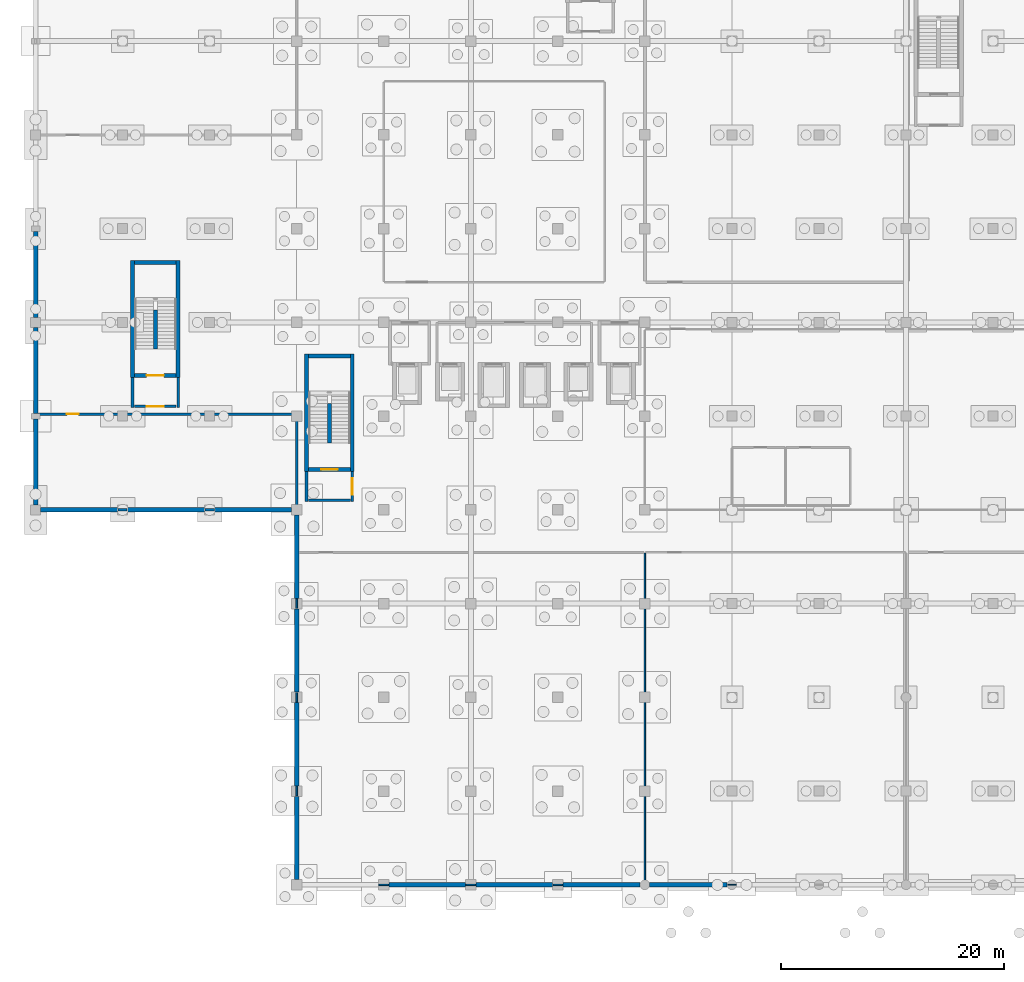
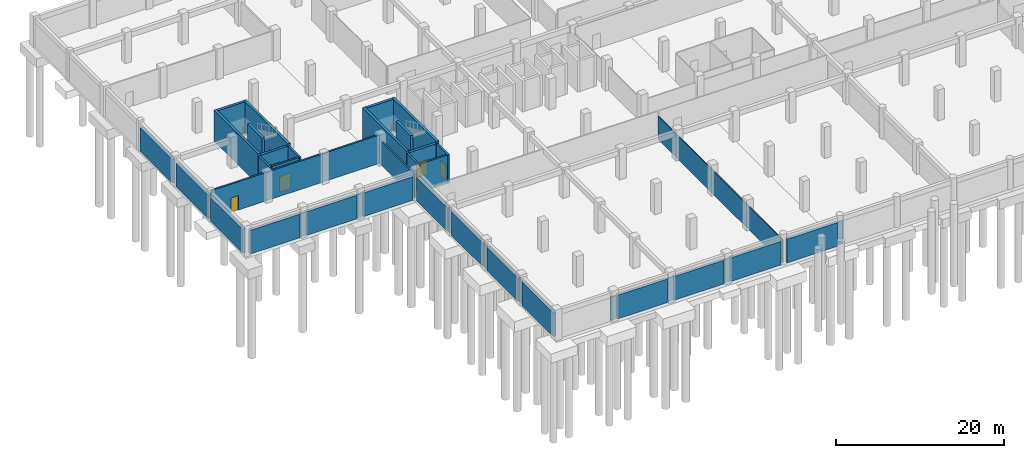
# One storey, part 13 of 30: 42 walls, 5 doors, 5 openings.
"""IFC4 building model written with IfcOpenShell, lengths in metres."""

from ifc_helpers import new_model, si_unit, direction, frame, frame_2d, origin, place, context, subcontext, project, spatial, rectangle, extrude, material, layer, layer_set, type_object, element, fill, save


model = new_model("IFC4")

# Units and contexts
model_context = context("Model", 3, precision=1e-05, world=origin(), true_north=direction((0.0, 1.0)))
body_context = subcontext(model_context, "Body", "Model", "MODEL_VIEW")
ifc_project = project(units=[si_unit("LENGTHUNIT", "METRE"), si_unit("AREAUNIT", "SQUARE_METRE"), si_unit("VOLUMEUNIT", "CUBIC_METRE"), si_unit("PLANEANGLEUNIT", "RADIAN"), si_unit("MASSUNIT", "GRAM", prefix="KILO"), si_unit("THERMODYNAMICTEMPERATUREUNIT", "KELVIN"), si_unit("POWERUNIT", "WATT")], contexts=[model_context])

# Site, building, storey
site_placement = place(None, origin())
site = spatial("IfcSite", under=ifc_project, at=site_placement, CompositionType="ELEMENT")
building_placement = place(site_placement, origin())
building = spatial("IfcBuilding", under=site, at=building_placement, Name="Srebrne Nadtorze General Hospital", CompositionType="ELEMENT")
storey_placement = place(building_placement, frame((0.0, 0.0, -4.5)))
storey = spatial("IfcBuildingStorey", under=building, at=storey_placement, Name="B1", CompositionType="ELEMENT", Elevation=-4.5)

# Walls
ifc_material_1 = material(Name="Concrete C35/45", Category="concrete")
ifc_layer_1 = layer(ifc_material_1, 0.39990234375)
ifc_layer_set_1 = layer_set([ifc_layer_1], Name="Concrete C35/45")
wall_type_1 = type_object("IfcWallType", Name="Basement retaining wall 400", PredefinedType="SOLIDWALL", material=ifc_layer_set_1)
for number, where, z_axis, x_axis, name in (
    (1, (31.675048828125, 0.0, 0.0), (0.0, 0.0, 1.0), (1.0, 0.0, 0.0), "Exterior wall WL-ENV-B1-0002"),
    (2, (39.47509765625, 0.0, 0.0), (0.0, 0.0, 1.0), (1.0, 0.0, 0.0), "Exterior wall WL-ENV-B1-0003"),
):
    element("IfcWall", number, at=place(storey_placement, frame(where, z_axis=z_axis, x_axis=x_axis)), inside=storey, type_object=wall_type_1, Name=name, PredefinedType="SOLIDWALL", context=body_context, shape_type="SweptSolid", body=[
        extrude(rectangle(XDim=6.849853515625, YDim=0.39990234375, at=frame_2d((3.4248046875, 0.0))), origin(), (0.0, 0.0, 1.0), 3.449951171875),
    ])
wall_1_placement = place(storey_placement, frame((47.27490234375, 0.0, 0.0), z_axis=(0.0, 0.0, 1.0), x_axis=(1.0, 0.0, 0.0)))
element("IfcWall", 3, at=wall_1_placement, inside=storey, type_object=wall_type_1, Name="Exterior wall WL-ENV-B1-0004", PredefinedType="SOLIDWALL", context=body_context, shape_type="SweptSolid", body=[
    extrude(rectangle(XDim=6.900146484375, YDim=0.39990234375, at=frame_2d((3.4501953125, 0.0))), origin(), (0.0, 0.0, 1.0), 3.449951171875),
])
wall_2_placement = place(storey_placement, frame((55.02490234375, 0.0, 0.0), z_axis=(0.0, 0.0, 1.0), x_axis=(1.0, 0.0, 0.0)))
element("IfcWall", 4, at=wall_2_placement, inside=storey, type_object=wall_type_1, Name="Exterior wall WL-ENV-B1-0005", PredefinedType="SOLIDWALL", context=body_context, shape_type="SweptSolid", body=[
    extrude(rectangle(XDim=6.9501953125, YDim=0.39990234375, at=frame_2d((3.47509765625, 0.0))), origin(), (0.0, 0.0, 1.0), 3.449951171875),
])
wall_3_placement = place(storey_placement, frame((0.449951171875, 33.60009765625, 0.0), z_axis=(0.0, 0.0, 1.0), x_axis=(1.0, 0.0, 0.0)))
element("IfcWall", 5, at=wall_3_placement, inside=storey, type_object=wall_type_1, Name="Exterior wall WL-ENV-B1-0017", PredefinedType="SOLIDWALL", context=body_context, shape_type="SweptSolid", body=[
    extrude(rectangle(XDim=6.900146484375, YDim=0.39990234375, at=frame_2d((3.4501953125, 0.0))), origin(), (0.0, 0.0, 1.0), 3.449951171875),
])
wall_4_placement = place(storey_placement, frame((8.25, 33.60009765625, 0.0), z_axis=(0.0, 0.0, 1.0), x_axis=(1.0, 0.0, 0.0)))
element("IfcWall", 6, at=wall_4_placement, inside=storey, type_object=wall_type_1, Name="Exterior wall WL-ENV-B1-0018", PredefinedType="SOLIDWALL", context=body_context, shape_type="SweptSolid", body=[
    extrude(rectangle(XDim=6.89990234375, YDim=0.39990234375, at=frame_2d((3.449951171875, 0.0))), origin(), (0.0, 0.0, 1.0), 3.449951171875),
])
wall_5_placement = place(storey_placement, frame((16.050048828125, 33.60009765625, 0.0), z_axis=(0.0, 0.0, 1.0), x_axis=(1.0, 0.0, 0.0)))
element("IfcWall", 7, at=wall_5_placement, inside=storey, type_object=wall_type_1, Name="Exterior wall WL-ENV-B1-0019", PredefinedType="SOLIDWALL", context=body_context, shape_type="SweptSolid", body=[
    extrude(rectangle(XDim=6.875, YDim=0.39990234375, at=frame_2d((3.4375, 0.0))), origin(), (0.0, 0.0, 1.0), 3.449951171875),
])
for number, where, z_axis, x_axis, name in (
    (8, (0.0, 34.050048828125, 0.0), (0.0, 0.0, 1.0), (0.0, 1.0, 0.0), "Exterior wall WL-ENV-B1-0045"),
    (9, (0.0, 42.25, 0.0), (0.0, 0.0, 1.0), (0.0, 1.0, 0.0), "Exterior wall WL-ENV-B1-0046"),
    (10, (0.0, 50.85009765625, 0.0), (0.0, 0.0, 1.0), (0.0, 1.0, 0.0), "Exterior wall WL-ENV-B1-0047"),
):
    element("IfcWall", number, at=place(storey_placement, frame(where, z_axis=z_axis, x_axis=x_axis)), inside=storey, type_object=wall_type_1, Name=name, PredefinedType="SOLIDWALL", context=body_context, shape_type="SweptSolid", body=[
        extrude(rectangle(XDim=7.699951171875, YDim=0.39990234375, at=frame_2d((3.85009765625, 0.0))), origin(), (0.0, 0.0, 1.0), 3.449951171875),
    ])
for number, where, z_axis, x_axis, name in (
    (11, (23.39990234375, 0.47509765625, 0.0), (0.0, 0.0, 1.0), (0.0, 1.0, 0.0), "Exterior wall WL-ENV-B1-0051"),
    (12, (23.39990234375, 8.875, 0.0), (0.0, 0.0, 1.0), (0.0, 1.0, 0.0), "Exterior wall WL-ENV-B1-0052"),
):
    element("IfcWall", number, at=place(storey_placement, frame(where, z_axis=z_axis, x_axis=x_axis)), inside=storey, type_object=wall_type_1, Name=name, PredefinedType="SOLIDWALL", context=body_context, shape_type="SweptSolid", body=[
        extrude(rectangle(XDim=7.449951171875, YDim=0.39990234375, at=frame_2d((3.72509765625, 0.0))), origin(), (0.0, 0.0, 1.0), 3.449951171875),
    ])
wall_6_placement = place(storey_placement, frame((23.39990234375, 17.27490234375, 0.0), z_axis=(0.0, 0.0, 1.0), x_axis=(0.0, 1.0, 0.0)))
element("IfcWall", 13, at=wall_6_placement, inside=storey, type_object=wall_type_1, Name="Exterior wall WL-ENV-B1-0053", PredefinedType="SOLIDWALL", context=body_context, shape_type="SweptSolid", body=[
    extrude(rectangle(XDim=7.4501953125, YDim=0.39990234375, at=frame_2d((3.72509765625, 0.0))), origin(), (0.0, 0.0, 1.0), 3.449951171875),
])
wall_7_placement = place(storey_placement, frame((23.39990234375, 25.675048828125, 0.0), z_axis=(0.0, 0.0, 1.0), x_axis=(0.0, 1.0, 0.0)))
element("IfcWall", 14, at=wall_7_placement, inside=storey, type_object=wall_type_1, Name="Exterior wall WL-ENV-B1-0054", PredefinedType="SOLIDWALL", context=body_context, shape_type="SweptSolid", body=[
    extrude(rectangle(XDim=7.449951171875, YDim=0.39990234375, at=frame_2d((3.72509765625, 0.0))), origin(), (0.0, 0.0, 1.0), 3.449951171875),
])
ifc_material_2 = material(Name="Gypsum Healthcare Partition")
ifc_layer_2 = layer(ifc_material_2, 0.139892578125)
ifc_layer_set_2 = layer_set([ifc_layer_2], Name="Gypsum Healthcare Partition")
wall_type_2 = type_object("IfcWallType", Name="Clinical partition 140", PredefinedType="PARTITIONING", material=ifc_layer_set_2)
for number, where, z_axis, x_axis, name in (
    (15, (30.764892578125, 0.0, 0.0), (0.0, 0.0, 1.0), (1.0, 0.0, 0.0), "Medical Records and Digital Archive wall WL-INT-B1-1227"),
    (16, (38.56494140625, 0.0, 0.0), (0.0, 0.0, 1.0), (1.0, 0.0, 0.0), "Medical Records and Digital Archive wall WL-INT-B1-1228"),
    (17, (46.364990234375, 0.0, 0.0), (0.0, 0.0, 1.0), (1.0, 0.0, 0.0), "Medical Records and Digital Archive wall WL-INT-B1-1229"),
):
    element("IfcWall", number, at=place(storey_placement, frame(where, z_axis=z_axis, x_axis=x_axis)), inside=storey, type_object=wall_type_2, Name=name, PredefinedType="PARTITIONING", context=body_context, shape_type="SweptSolid", body=[
        extrude(rectangle(XDim=0.8701171875, YDim=0.139892578125, at=frame_2d((0.43505859375, 0.0))), origin(), (0.0, 0.0, 1.0), 3.39990234375),
    ])
wall_8_placement = place(storey_placement, frame((23.39990234375, 7.965087890625, 0.0), z_axis=(0.0, 0.0, 1.0), x_axis=(0.0, 1.0, 0.0)))
element("IfcWall", 18, at=wall_8_placement, inside=storey, type_object=wall_type_2, Name="Medical Records and Digital Archive wall WL-INT-B1-1230", PredefinedType="PARTITIONING", context=body_context, shape_type="SweptSolid", body=[
    extrude(rectangle(XDim=0.869873046875, YDim=0.139892578125, at=frame_2d((0.43505859375, 0.0))), origin(), (0.0, 0.0, 1.0), 3.39990234375),
])
for number, where, z_axis, x_axis, name in (
    (19, (23.39990234375, 16.364990234375, 0.0), (0.0, 0.0, 1.0), (0.0, 1.0, 0.0), "Medical Records and Digital Archive wall WL-INT-B1-1231"),
    (20, (23.39990234375, 24.764892578125, 0.0), (0.0, 0.0, 1.0), (0.0, 1.0, 0.0), "Medical Records and Digital Archive wall WL-INT-B1-1232"),
):
    element("IfcWall", number, at=place(storey_placement, frame(where, z_axis=z_axis, x_axis=x_axis)), inside=storey, type_object=wall_type_2, Name=name, PredefinedType="PARTITIONING", context=body_context, shape_type="SweptSolid", body=[
        extrude(rectangle(XDim=0.8701171875, YDim=0.139892578125, at=frame_2d((0.43505859375, 0.0))), origin(), (0.0, 0.0, 1.0), 3.39990234375),
    ])
wall_9_placement = place(storey_placement, frame((54.60009765625, 0.0849609375, 0.0), z_axis=(0.0, 0.0, 1.0), x_axis=(0.0, 1.0, 0.0)))
element("IfcWall", 21, at=wall_9_placement, inside=storey, type_object=wall_type_2, Name="Medical Records and Digital Archive wall WL-INT-B1-1233", PredefinedType="PARTITIONING", context=body_context, shape_type="SweptSolid", body=[
    extrude(rectangle(XDim=29.630126953125, YDim=0.139892578125, at=frame_2d((14.81494140625, 0.0))), origin(), (0.0, 0.0, 1.0), 3.39990234375),
])
ifc_material_3 = material(Name="Gypsum Healthcare Partition")
ifc_layer_3 = layer(ifc_material_3, 0.239990234375)
ifc_layer_set_3 = layer_set([ifc_layer_3], Name="Gypsum Healthcare Partition")
wall_type_3 = type_object("IfcWallType", Name="Corridor fire wall 240", PredefinedType="STANDARD", material=ifc_layer_set_3)
wall_10_placement = place(storey_placement, frame((24.27490234375, 34.35498046875, 0.0), z_axis=(0.0, 0.0, 1.0), x_axis=(0.0, 1.0, 0.0)))
element("IfcWall", 22, at=wall_10_placement, inside=storey, type_object=wall_type_3, Name="Fire lobby wall ST-01 WL-INT-B1-0005", PredefinedType="STANDARD", context=body_context, shape_type="SweptSolid", body=[
    extrude(rectangle(XDim=2.695068359375, YDim=0.239990234375, at=frame_2d((1.34765625, 0.0))), origin(), (0.0, 0.0, 1.0), 4.14990234375),
])

# Wall, opening, door
wall_11_placement = place(storey_placement, frame((28.375, 34.35498046875, 0.0), z_axis=(0.0, 0.0, 1.0), x_axis=(0.0, 1.0, 0.0)))
wall_11 = element("IfcWall", 23, at=wall_11_placement, inside=storey, type_object=wall_type_3, Name="Fire lobby wall ST-01 WL-INT-B1-0006", PredefinedType="STANDARD", context=body_context, shape_type="SweptSolid", body=[
    extrude(rectangle(XDim=2.695068359375, YDim=0.239990234375, at=frame_2d((1.34765625, 0.0))), origin(), (0.0, 0.0, 1.0), 4.14990234375),
])
opening_1_placement = place(wall_11_placement, frame((0.597412109375, 0.0, 0.0)))
opening_1 = element("IfcOpeningElement", 24, at=opening_1_placement, cuts=wall_11, Name="Opening D-B1-0002", PredefinedType="OPENING", context=body_context, shape_type="SweptSolid", body=[
    extrude(rectangle(XDim=1.5, YDim=2.199951171875, at=frame_2d((0.75, 1.10009765625))), frame((0.0, 0.1318359375, 0.0), z_axis=(0.0, -1.0, 0.0), x_axis=(1.0, 0.0, 0.0)), (0.0, 0.0, 1.0), 0.263916015625),
])
ifc_material_4 = material(Name="Anodised Aluminium", Category="aluminium")
door_type_1 = type_object("IfcDoorType", Name="Double leaf door 1500x2200", OperationType="DOUBLE_DOOR_SINGLE_SWING", PredefinedType="DOOR", material=ifc_material_4)
door_1_placement = place(opening_1_placement, origin())
door_1 = element("IfcDoor", 25, at=door_1_placement, inside=storey, type_object=door_type_1, Name="Fire lobby door ST-01 D-B1-0002", OperationType="DOUBLE_DOOR_SINGLE_SWING", OverallHeight=2.199951171875, OverallWidth=1.5, PredefinedType="DOOR", context=body_context, shape_type="SweptSolid", body=[
    extrude(rectangle(XDim=1.5, YDim=2.199951171875, at=frame_2d((0.75, 1.10009765625))), frame((0.0, 0.02490234375, 0.0), z_axis=(0.0, -1.0, 0.0), x_axis=(1.0, 0.0, 0.0)), (0.0, 0.0, 1.0), 0.050048828125),
])
fill(opening_1, door_1)

# Walls
wall_12_placement = place(storey_placement, frame((24.449951171875, 34.47509765625, 0.0), z_axis=(0.0, 0.0, 1.0), x_axis=(1.0, 0.0, 0.0)))
element("IfcWall", 26, at=wall_12_placement, inside=storey, type_object=wall_type_3, Name="Fire lobby entry wall ST-01 WL-INT-B1-0007", PredefinedType="STANDARD", context=body_context, shape_type="SweptSolid", body=[
    extrude(rectangle(XDim=3.75, YDim=0.239990234375, at=frame_2d((1.875, 0.0))), origin(), (0.0, 0.0, 1.0), 4.14990234375),
])
for number, where, z_axis, x_axis, name in (
    (27, (8.675048828125, 42.7548828125, 0.0), (0.0, 0.0, 1.0), (0.0, 1.0, 0.0), "Fire lobby wall ST-05 WL-INT-B1-0037"),
    (28, (12.77490234375, 42.7548828125, 0.0), (0.0, 0.0, 1.0), (0.0, 1.0, 0.0), "Fire lobby wall ST-05 WL-INT-B1-0038"),
):
    element("IfcWall", number, at=place(storey_placement, frame(where, z_axis=z_axis, x_axis=x_axis)), inside=storey, type_object=wall_type_3, Name=name, PredefinedType="STANDARD", context=body_context, shape_type="SweptSolid", body=[
        extrude(rectangle(XDim=2.695068359375, YDim=0.239990234375, at=frame_2d((1.34765625, 0.0))), origin(), (0.0, 0.0, 1.0), 4.14990234375),
    ])

# Wall, opening, door
wall_13_placement = place(storey_placement, frame((8.85009765625, 42.875, 0.0), z_axis=(0.0, 0.0, 1.0), x_axis=(1.0, 0.0, 0.0)))
wall_13 = element("IfcWall", 29, at=wall_13_placement, inside=storey, type_object=wall_type_3, Name="Fire lobby entry wall ST-05 WL-INT-B1-0039", PredefinedType="STANDARD", context=body_context, shape_type="SweptSolid", body=[
    extrude(rectangle(XDim=3.75, YDim=0.239990234375, at=frame_2d((1.875, 0.0))), origin(), (0.0, 0.0, 1.0), 4.14990234375),
])
opening_2_placement = place(wall_13_placement, frame((1.10009765625, 0.0, 0.0)))
opening_2 = element("IfcOpeningElement", 30, at=opening_2_placement, cuts=wall_13, Name="Opening D-B1-0010", PredefinedType="OPENING", context=body_context, shape_type="SweptSolid", body=[
    extrude(rectangle(XDim=1.550048828125, YDim=2.25, at=frame_2d((0.77490234375, 1.125))), frame((0.0, 0.1318359375, 0.0), z_axis=(0.0, -1.0, 0.0), x_axis=(1.0, 0.0, 0.0)), (0.0, 0.0, 1.0), 0.263916015625),
])
ifc_material_5 = material(Name="Anodised Aluminium", Category="aluminium")
door_type_2 = type_object("IfcDoorType", Name="Double leaf door 1550x2250", OperationType="DOUBLE_DOOR_SINGLE_SWING", PredefinedType="DOOR", material=ifc_material_5)
door_2_placement = place(opening_2_placement, origin())
door_2 = element("IfcDoor", 31, at=door_2_placement, inside=storey, type_object=door_type_2, Name="Fire lobby door ST-05 D-B1-0010", OperationType="DOUBLE_DOOR_SINGLE_SWING", OverallHeight=2.25, OverallWidth=1.550048828125, PredefinedType="DOOR", context=body_context, shape_type="SweptSolid", body=[
    extrude(rectangle(XDim=1.550048828125, YDim=2.25, at=frame_2d((0.77490234375, 1.125))), frame((0.0, 0.02490234375, 0.0), z_axis=(0.0, -1.0, 0.0), x_axis=(1.0, 0.0, 0.0)), (0.0, 0.0, 1.0), 0.050048828125),
])
fill(opening_2, door_2)

wall_14_placement = place(storey_placement, frame((0.110107421875, 42.175048828125, 0.0), z_axis=(0.0, 0.0, 1.0), x_axis=(1.0, 0.0, 0.0)))
wall_14 = element("IfcWall", 32, at=wall_14_placement, inside=storey, type_object=wall_type_3, Name="Emergency Decontamination Plant Room wall WL-INT-B1-1217", PredefinedType="STANDARD", context=body_context, shape_type="SweptSolid", body=[
    extrude(rectangle(XDim=23.179931640625, YDim=0.239990234375, at=frame_2d((11.58984375, 0.0))), origin(), (0.0, 0.0, 1.0), 4.1298828125),
])
opening_3_placement = place(wall_14_placement, frame((2.692138671875, 0.0, 0.0)))
opening_3 = element("IfcOpeningElement", 33, at=opening_3_placement, cuts=wall_14, Name="Opening D-B1-0170", PredefinedType="OPENING", context=body_context, shape_type="SweptSolid", body=[
    extrude(rectangle(XDim=1.050048828125, YDim=2.10009765625, at=frame_2d((0.52490234375, 1.050048828125))), frame((0.0, 0.1318359375, 0.0), z_axis=(0.0, -1.0, 0.0), x_axis=(1.0, 0.0, 0.0)), (0.0, 0.0, 1.0), 0.263916015625),
])
ifc_material_6 = material(Name="Anodised Aluminium", Category="aluminium")
door_type_3 = type_object("IfcDoorType", Name="Single leaf door 1050x2100", OperationType="NOTDEFINED", PredefinedType="DOOR", material=ifc_material_6)
door_3_placement = place(opening_3_placement, frame((1.050048828125, 0.0, 0.0), z_axis=(0.0, 0.0, 1.0), x_axis=(-1.0, 0.0, 0.0)))
door_3 = element("IfcDoor", 34, at=door_3_placement, inside=storey, type_object=door_type_3, Name="Emergency Decontamination Plant Room door D-B1-0170", OperationType="SINGLE_SWING_RIGHT", OverallHeight=2.10009765625, OverallWidth=1.050048828125, PredefinedType="DOOR", context=body_context, shape_type="SweptSolid", body=[
    extrude(rectangle(XDim=1.050048828125, YDim=2.10009765625, at=frame_2d((0.52490234375, 1.050048828125))), frame((0.0, 0.02490234375, 0.0), z_axis=(0.0, -1.0, 0.0), x_axis=(1.0, 0.0, 0.0)), (0.0, 0.0, 1.0), 0.050048828125),
])
fill(opening_3, door_3)

# Walls
for number, where, z_axis, x_axis, name in (
    (35, (7.389892578125, 33.60009765625, 0.0), (0.0, 0.0, 1.0), (1.0, 0.0, 0.0), "Emergency Decontamination Plant Room wall WL-INT-B1-1218"),
    (36, (15.18994140625, 33.60009765625, 0.0), (0.0, 0.0, 1.0), (1.0, 0.0, 0.0), "Emergency Decontamination Plant Room wall WL-INT-B1-1219"),
):
    element("IfcWall", number, at=place(storey_placement, frame(where, z_axis=z_axis, x_axis=x_axis)), inside=storey, type_object=wall_type_3, Name=name, PredefinedType="STANDARD", context=body_context, shape_type="SweptSolid", body=[
        extrude(rectangle(XDim=0.820068359375, YDim=0.239990234375, at=frame_2d((0.41015625, 0.0))), origin(), (0.0, 0.0, 1.0), 3.39990234375),
    ])
wall_15_placement = place(storey_placement, frame((23.39990234375, 33.7099609375, 0.0), z_axis=(0.0, 0.0, 1.0), x_axis=(0.0, 1.0, 0.0)))
element("IfcWall", 37, at=wall_15_placement, inside=storey, type_object=wall_type_3, Name="Emergency Decontamination Plant Room wall WL-INT-B1-1220", PredefinedType="STANDARD", context=body_context, shape_type="SweptSolid", body=[
    extrude(rectangle(XDim=8.35498046875, YDim=0.239990234375, at=frame_2d((4.177490234375, 0.0))), origin(), (0.0, 0.0, 1.0), 3.39990234375),
])
ifc_material_7 = material(Name="Gypsum Healthcare Partition")
ifc_layer_4 = layer(ifc_material_7, 0.10009765625)
ifc_layer_set_4 = layer_set([ifc_layer_4], Name="Gypsum Healthcare Partition")
wall_type_4 = type_object("IfcWallType", Name="Shaft lining wall 100", PredefinedType="PARTITIONING", material=ifc_layer_set_4)
wall_16_placement = place(storey_placement, frame((62.014892578125, 0.0, 0.0), z_axis=(0.0, 0.0, 1.0), x_axis=(1.0, 0.0, 0.0)))
element("IfcWall", 38, at=wall_16_placement, inside=storey, type_object=wall_type_4, Name="Hospital Central Kitchen and Catering wall WL-INT-B1-1235", PredefinedType="PARTITIONING", context=body_context, shape_type="SweptSolid", body=[
    extrude(rectangle(XDim=0.77001953125, YDim=0.10009765625, at=frame_2d((0.385009765625, 0.0))), origin(), (0.0, 0.0, 1.0), 3.39990234375),
])
ifc_material_8 = material(Name="Concrete C40/50", Category="concrete")
ifc_layer_5 = layer(ifc_material_8, 0.35009765625)
ifc_layer_set_5 = layer_set([ifc_layer_5], Name="Concrete C40/50")
wall_type_5 = type_object("IfcWallType", Name="Shear core wall 350", PredefinedType="SHEAR", material=ifc_layer_set_5)
for number, where, z_axis, x_axis, name in (
    (39, (24.27490234375, 37.050048828125, 0.0), (0.0, 0.0, 1.0), (0.0, 1.0, 0.0), "Stair core wall ST-01 WL-INT-B1-0001"),
    (40, (28.375, 37.050048828125, 0.0), (0.0, 0.0, 1.0), (0.0, 1.0, 0.0), "Stair core wall ST-01 WL-INT-B1-0002"),
):
    element("IfcWall", number, at=place(storey_placement, frame(where, z_axis=z_axis, x_axis=x_axis)), inside=storey, type_object=wall_type_5, Name=name, PredefinedType="SHEAR", context=body_context, shape_type="SweptSolid", body=[
        extrude(rectangle(XDim=10.5, YDim=0.35009765625, at=frame_2d((5.25, 0.0))), origin(), (0.0, 0.0, 1.0), 4.5),
    ])
wall_17_placement = place(storey_placement, frame((24.449951171875, 47.375, 0.0), z_axis=(0.0, 0.0, 1.0), x_axis=(1.0, 0.0, 0.0)))
element("IfcWall", 41, at=wall_17_placement, inside=storey, type_object=wall_type_5, Name="Stair core wall ST-01 WL-INT-B1-0003", PredefinedType="SHEAR", context=body_context, shape_type="SweptSolid", body=[
    extrude(rectangle(XDim=3.75, YDim=0.35009765625, at=frame_2d((1.875, 0.0))), origin(), (0.0, 0.0, 1.0), 4.5),
])

# Wall, opening, door
wall_18_placement = place(storey_placement, frame((24.449951171875, 37.22509765625, 0.0), z_axis=(0.0, 0.0, 1.0), x_axis=(1.0, 0.0, 0.0)))
wall_18 = element("IfcWall", 42, at=wall_18_placement, inside=storey, type_object=wall_type_5, Name="Stairwell fire wall ST-01 WL-INT-B1-0004", PredefinedType="SHEAR", context=body_context, shape_type="SweptSolid", body=[
    extrude(rectangle(XDim=3.75, YDim=0.35009765625, at=frame_2d((1.875, 0.0))), origin(), (0.0, 0.0, 1.0), 4.14990234375),
])
opening_4_placement = place(wall_18_placement, frame((1.125, 0.0, 0.0)))
opening_4 = element("IfcOpeningElement", 43, at=opening_4_placement, cuts=wall_18, Name="Opening D-B1-0001", PredefinedType="OPENING", context=body_context, shape_type="SweptSolid", body=[
    extrude(rectangle(XDim=1.5, YDim=2.199951171875, at=frame_2d((0.75, 1.10009765625))), frame((0.0, 0.18701171875, 0.0), z_axis=(0.0, -1.0, 0.0), x_axis=(1.0, 0.0, 0.0)), (0.0, 0.0, 1.0), 0.3740234375),
])
door_4_placement = place(opening_4_placement, origin())
door_4 = element("IfcDoor", 44, at=door_4_placement, inside=storey, type_object=door_type_1, Name="Protected stair door ST-01 D-B1-0001", OperationType="DOUBLE_DOOR_SINGLE_SWING", OverallHeight=2.199951171875, OverallWidth=1.5, PredefinedType="DOOR", context=body_context, shape_type="SweptSolid", body=[
    extrude(rectangle(XDim=1.5, YDim=2.199951171875, at=frame_2d((0.75, 1.10009765625))), frame((0.0, 0.02490234375, 0.0), z_axis=(0.0, -1.0, 0.0), x_axis=(1.0, 0.0, 0.0)), (0.0, 0.0, 1.0), 0.050048828125),
])
fill(opening_4, door_4)

# Walls
wall_19_placement = place(storey_placement, frame((26.324951171875, 39.60009765625, 0.0), z_axis=(0.0, 0.0, 1.0), x_axis=(0.0, 1.0, 0.0)))
element("IfcWall", 45, at=wall_19_placement, inside=storey, type_object=wall_type_5, Name="Stair spine wall ST-01 WL-INT-B1-0008", PredefinedType="SHEAR", context=body_context, shape_type="SweptSolid", body=[
    extrude(rectangle(XDim=3.52001953125, YDim=0.35009765625, at=frame_2d((1.760009765625, 0.0))), origin(), (0.0, 0.0, 1.0), 4.5),
])
for number, where, z_axis, x_axis, name in (
    (46, (8.675048828125, 45.449951171875, 0.0), (0.0, 0.0, 1.0), (0.0, 1.0, 0.0), "Stair core wall ST-05 WL-INT-B1-0033"),
    (47, (12.77490234375, 45.449951171875, 0.0), (0.0, 0.0, 1.0), (0.0, 1.0, 0.0), "Stair core wall ST-05 WL-INT-B1-0034"),
):
    element("IfcWall", number, at=place(storey_placement, frame(where, z_axis=z_axis, x_axis=x_axis)), inside=storey, type_object=wall_type_5, Name=name, PredefinedType="SHEAR", context=body_context, shape_type="SweptSolid", body=[
        extrude(rectangle(XDim=10.5, YDim=0.35009765625, at=frame_2d((5.25, 0.0))), origin(), (0.0, 0.0, 1.0), 4.5),
    ])
wall_20_placement = place(storey_placement, frame((8.85009765625, 55.77490234375, 0.0), z_axis=(0.0, 0.0, 1.0), x_axis=(1.0, 0.0, 0.0)))
element("IfcWall", 48, at=wall_20_placement, inside=storey, type_object=wall_type_5, Name="Stair core wall ST-05 WL-INT-B1-0035", PredefinedType="SHEAR", context=body_context, shape_type="SweptSolid", body=[
    extrude(rectangle(XDim=3.75, YDim=0.35009765625, at=frame_2d((1.875, 0.0))), origin(), (0.0, 0.0, 1.0), 4.5),
])

# Wall, opening, door
wall_21_placement = place(storey_placement, frame((8.85009765625, 45.625, 0.0), z_axis=(0.0, 0.0, 1.0), x_axis=(1.0, 0.0, 0.0)))
wall_21 = element("IfcWall", 49, at=wall_21_placement, inside=storey, type_object=wall_type_5, Name="Stairwell fire wall ST-05 WL-INT-B1-0036", PredefinedType="SHEAR", context=body_context, shape_type="SweptSolid", body=[
    extrude(rectangle(XDim=3.75, YDim=0.35009765625, at=frame_2d((1.875, 0.0))), origin(), (0.0, 0.0, 1.0), 4.14990234375),
])
opening_5_placement = place(wall_21_placement, frame((1.10009765625, 0.0, 0.0)))
opening_5 = element("IfcOpeningElement", 50, at=opening_5_placement, cuts=wall_21, Name="Opening D-B1-0009", PredefinedType="OPENING", context=body_context, shape_type="SweptSolid", body=[
    extrude(rectangle(XDim=1.550048828125, YDim=2.25, at=frame_2d((0.77490234375, 1.125))), frame((0.0, 0.18701171875, 0.0), z_axis=(0.0, -1.0, 0.0), x_axis=(1.0, 0.0, 0.0)), (0.0, 0.0, 1.0), 0.3740234375),
])
door_5_placement = place(opening_5_placement, origin())
door_5 = element("IfcDoor", 51, at=door_5_placement, inside=storey, type_object=door_type_2, Name="Protected stair door ST-05 D-B1-0009", OperationType="DOUBLE_DOOR_SINGLE_SWING", OverallHeight=2.25, OverallWidth=1.550048828125, PredefinedType="DOOR", context=body_context, shape_type="SweptSolid", body=[
    extrude(rectangle(XDim=1.550048828125, YDim=2.25, at=frame_2d((0.77490234375, 1.125))), frame((0.0, 0.02490234375, 0.0), z_axis=(0.0, -1.0, 0.0), x_axis=(1.0, 0.0, 0.0)), (0.0, 0.0, 1.0), 0.050048828125),
])
fill(opening_5, door_5)

# Wall
wall_22_placement = place(storey_placement, frame((10.72509765625, 48.0, 0.0), z_axis=(0.0, 0.0, 1.0), x_axis=(0.0, 1.0, 0.0)))
element("IfcWall", 52, at=wall_22_placement, inside=storey, type_object=wall_type_5, Name="Stair spine wall ST-05 WL-INT-B1-0040", PredefinedType="SHEAR", context=body_context, shape_type="SweptSolid", body=[
    extrude(rectangle(XDim=3.52001953125, YDim=0.35009765625, at=frame_2d((1.760009765625, 0.0))), origin(), (0.0, 0.0, 1.0), 4.5),
])

save(model, "model.ifc")
